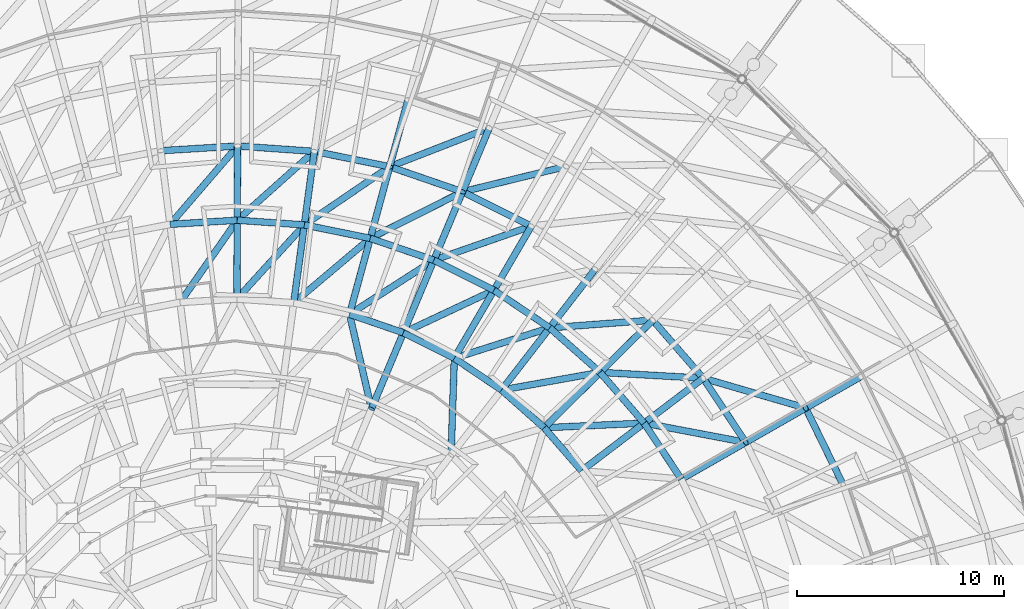
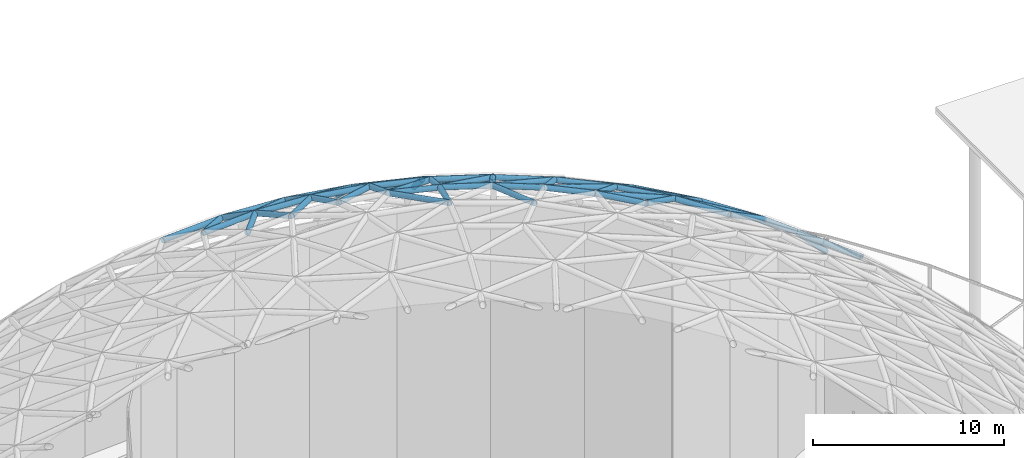
# One storey, part 109 of 226: 65 members.
"""IFC4 building model written with IfcOpenShell, lengths in metres."""

from ifc_helpers import new_model, si_unit, direction, frame, origin, origin_2d, place, context, subcontext, project, spatial, hollow_circle, extrude, material, material_profile, profile_set, type_object, element, save


model = new_model("IFC4")

# Units and contexts
model_context = context("Model", 3, precision=1e-05, world=origin(), true_north=direction((0.0, 1.0)))
body_context = subcontext(model_context, "Body", "Model", "MODEL_VIEW")
ifc_project = project(units=[si_unit("LENGTHUNIT", "METRE"), si_unit("AREAUNIT", "SQUARE_METRE"), si_unit("VOLUMEUNIT", "CUBIC_METRE"), si_unit("PLANEANGLEUNIT", "RADIAN"), si_unit("MASSUNIT", "GRAM", prefix="KILO")], contexts=[model_context])

# Site, building, storey
site_placement = place(None, origin())
site = spatial("IfcSite", under=ifc_project, at=site_placement, CompositionType="ELEMENT")
building_placement = place(site_placement, origin())
building = spatial("IfcBuilding", under=site, at=building_placement, Name="Ceibo Conservatory and Research Tower", CompositionType="ELEMENT")
storey_placement = place(building_placement, origin())
storey = spatial("IfcBuildingStorey", under=building, at=storey_placement, Name="L00", CompositionType="ELEMENT", Elevation=0.0)

# Members
ifc_material = material(Name="Steel ASTM A500 Gr C", Category="steel")
ifc_material_profile_1 = material_profile(ifc_material, hollow_circle(Radius=0.161865234375, WallThickness=0.01025390625, at=origin_2d()), Name="CHS 323.9x10.31")
ifc_profile_set_1 = profile_set([ifc_material_profile_1], Name="Steel ASTM A500 Gr C")
member_type_1 = type_object("IfcMemberType", Name="CHS 323.9x10.31", PredefinedType="NOTDEFINED", material=ifc_profile_set_1)
member_1_placement = place(storey_placement, frame((185.37890625, 120.01904296875, 14.591064453125), z_axis=(-0.438300827314, 0.898828339994, 0.0), x_axis=(-0.898828339994, -0.438300827314, 0.0)))
element("IfcMember", 1, at=member_1_placement, inside=storey, type_object=member_type_1, Name="Gridshell member A-C04-03", PredefinedType="CHORD", context=body_context, shape_type="SweptSolid", body=[
    extrude(hollow_circle(Radius=0.161865234375, WallThickness=0.01025390625, at=origin_2d()), origin(), (0.0, 0.0, 1.0), 4.152099609375),
])
member_2_placement = place(storey_placement, frame((180.660888671875, 122.094970703125, 17.39501953125), z_axis=(-0.713787806992, -0.407982781221, 0.569260060795), x_axis=(0.496234325731, -0.868188628102, 0.0)))
element("IfcMember", 2, at=member_2_placement, inside=storey, type_object=member_type_1, Name="Gridshell member A-M04-05", PredefinedType="RAFTER", context=body_context, shape_type="SweptSolid", body=[
    extrude(hollow_circle(Radius=0.161865234375, WallThickness=0.01025390625, at=origin_2d()), origin(), (0.0, 0.0, 1.0), 4.358154296875),
])
member_3_placement = place(storey_placement, frame((178.610107421875, 125.193115234375, 17.39501953125), z_axis=(-0.654469157346, -0.497546703166, 0.569313095099), x_axis=(0.60519902533, -0.796074204921, 0.0)))
element("IfcMember", 3, at=member_3_placement, inside=storey, type_object=member_type_1, Name="Gridshell member A-M05-05", PredefinedType="RAFTER", context=body_context, shape_type="SweptSolid", body=[
    extrude(hollow_circle(Radius=0.161865234375, WallThickness=0.01025390625, at=origin_2d()), origin(), (0.0, 0.0, 1.0), 4.35791015625),
])
member_4_placement = place(storey_placement, frame((176.173095703125, 127.998046875, 17.39501953125), z_axis=(-0.583927397426, -0.578830285371, 0.569196183467), x_axis=(0.704000314918, -0.71019965967, 0.0)))
element("IfcMember", 4, at=member_4_placement, inside=storey, type_object=member_type_1, Name="Gridshell member A-M06-05", PredefinedType="RAFTER", context=body_context, shape_type="SweptSolid", body=[
    extrude(hollow_circle(Radius=0.161865234375, WallThickness=0.01025390625, at=origin_2d()), origin(), (0.0, 0.0, 1.0), 4.358642578125),
])
member_5_placement = place(storey_placement, frame((173.389892578125, 130.4599609375, 17.39501953125), z_axis=(-0.503308696319, -0.650167743921, 0.569176827509), x_axis=(0.790751363056, -0.612137469712, 0.0)))
element("IfcMember", 5, at=member_5_placement, inside=storey, type_object=member_type_1, Name="Gridshell member A-M07-05", PredefinedType="RAFTER", context=body_context, shape_type="SweptSolid", body=[
    extrude(hollow_circle(Radius=0.161865234375, WallThickness=0.01025390625, at=origin_2d()), origin(), (0.0, 0.0, 1.0), 4.35888671875),
])
member_6_placement = place(storey_placement, frame((170.31005859375, 132.537109375, 17.39501953125), z_axis=(-0.414199362111, -0.710200096409, 0.569258035945), x_axis=(0.863823379854, -0.503794768153, 0.0)))
element("IfcMember", 6, at=member_6_placement, inside=storey, type_object=member_type_1, Name="Gridshell member A-M08-05", PredefinedType="RAFTER", context=body_context, shape_type="SweptSolid", body=[
    extrude(hollow_circle(Radius=0.161865234375, WallThickness=0.01025390625, at=origin_2d()), origin(), (0.0, 0.0, 1.0), 4.358154296875),
])
member_7_placement = place(storey_placement, frame((166.985107421875, 134.195068359375, 17.39501953125), z_axis=(-0.318032147885, -0.75813441207, 0.569287068311), x_axis=(0.92214890808, -0.386835095779, 0.0)))
element("IfcMember", 7, at=member_7_placement, inside=storey, type_object=member_type_1, Name="Gridshell member A-M09-05", PredefinedType="RAFTER", context=body_context, shape_type="SweptSolid", body=[
    extrude(hollow_circle(Radius=0.161865234375, WallThickness=0.01025390625, at=origin_2d()), origin(), (0.0, 0.0, 1.0), 4.35791015625),
])
member_8_placement = place(storey_placement, frame((163.470947265625, 135.405029296875, 17.39501953125), z_axis=(-0.216123089766, -0.793235601629, 0.569269786988), x_axis=(0.964829832004, -0.262875246601, 0.0)))
element("IfcMember", 8, at=member_8_placement, inside=storey, type_object=member_type_1, Name="Gridshell member A-M10-05", PredefinedType="RAFTER", context=body_context, shape_type="SweptSolid", body=[
    extrude(hollow_circle(Radius=0.161865234375, WallThickness=0.01025390625, at=origin_2d()), origin(), (0.0, 0.0, 1.0), 4.358154296875),
])
member_9_placement = place(storey_placement, frame((159.830078125, 136.14599609375, 17.39501953125), z_axis=(-0.110847960683, -0.814696103147, 0.569195036107), x_axis=(0.990870335562, -0.134818315165, 0.0)))
element("IfcMember", 9, at=member_9_placement, inside=storey, type_object=member_type_1, Name="Gridshell member A-M11-05", PredefinedType="RAFTER", context=body_context, shape_type="SweptSolid", body=[
    extrude(hollow_circle(Radius=0.161865234375, WallThickness=0.01025390625, at=origin_2d()), origin(), (0.0, 0.0, 1.0), 4.358642578125),
])
member_10_placement = place(storey_placement, frame((156.1240234375, 136.405029296875, 17.39501953125), z_axis=(-0.00369728709, -0.822142202026, 0.569270172867), x_axis=(0.999989888027, -0.00449709271, 0.0)))
element("IfcMember", 10, at=member_10_placement, inside=storey, type_object=member_type_1, Name="Gridshell member A-M12-05", PredefinedType="RAFTER", context=body_context, shape_type="SweptSolid", body=[
    extrude(hollow_circle(Radius=0.161865234375, WallThickness=0.01025390625, at=origin_2d()), origin(), (0.0, 0.0, 1.0), 4.358154296875),
])
member_11_placement = place(storey_placement, frame((175.758056640625, 123.02490234375, 19.8759765625), z_axis=(-0.693686137001, -0.527754755397, 0.4901779896), x_axis=(0.605485563009, -0.795856289155, 0.0)))
element("IfcMember", 11, at=member_11_placement, inside=storey, type_object=member_type_1, Name="Gridshell member A-M05-06", PredefinedType="RAFTER", context=body_context, shape_type="SweptSolid", body=[
    extrude(hollow_circle(Radius=0.161865234375, WallThickness=0.01025390625, at=origin_2d()), origin(), (0.0, 0.0, 1.0), 4.359619140625),
])
member_12_placement = place(storey_placement, frame((173.6279296875, 125.47509765625, 19.8759765625), z_axis=(-0.618935674707, -0.613670996992, 0.490231106751), x_axis=(0.704080182791, -0.71012048006, 0.0)))
element("IfcMember", 12, at=member_12_placement, inside=storey, type_object=member_type_1, Name="Gridshell member A-M06-06", PredefinedType="RAFTER", context=body_context, shape_type="SweptSolid", body=[
    extrude(hollow_circle(Radius=0.161865234375, WallThickness=0.01025390625, at=origin_2d()), origin(), (0.0, 0.0, 1.0), 4.359130859375),
])
member_13_placement = place(storey_placement, frame((171.196044921875, 127.6259765625, 19.8759765625), z_axis=(-0.533604376262, -0.689143302775, 0.490252871358), x_axis=(0.790682564617, -0.61222633234, 0.0)))
element("IfcMember", 13, at=member_13_placement, inside=storey, type_object=member_type_1, Name="Gridshell member A-M07-06", PredefinedType="RAFTER", context=body_context, shape_type="SweptSolid", body=[
    extrude(hollow_circle(Radius=0.161865234375, WallThickness=0.01025390625, at=origin_2d()), origin(), (0.0, 0.0, 1.0), 4.35888671875),
])
member_14_placement = place(storey_placement, frame((168.5048828125, 129.44189453125, 19.8759765625), z_axis=(-0.439232549316, -0.752850077834, 0.4901953977), x_axis=(0.863743942894, -0.503930948755, 0.0)))
element("IfcMember", 14, at=member_14_placement, inside=storey, type_object=member_type_1, Name="Gridshell member A-M08-06", PredefinedType="RAFTER", context=body_context, shape_type="SweptSolid", body=[
    extrude(hollow_circle(Radius=0.161865234375, WallThickness=0.01025390625, at=origin_2d()), origin(), (0.0, 0.0, 1.0), 4.359375),
])
for number, where, z_axis, x_axis, name in (
    (15, (165.59912109375, 130.89111328125, 19.8759765625), (-0.337226420994, -0.803754702844, 0.490159890893), (0.922125629519, -0.38689058322, 0.0), "Gridshell member A-M09-06"),
    (16, (162.529052734375, 131.947998046875, 19.8759765625), (-0.229377823513, -0.840902685028, 0.49017189678), (0.964751959039, -0.263160896659, 0.0), "Gridshell member A-M10-06"),
):
    element("IfcMember", number, at=place(storey_placement, frame(where, z_axis=z_axis, x_axis=x_axis)), inside=storey, type_object=member_type_1, Name=name, PredefinedType="RAFTER", context=body_context, shape_type="SweptSolid", body=[
        extrude(hollow_circle(Radius=0.161865234375, WallThickness=0.01025390625, at=origin_2d()), origin(), (0.0, 0.0, 1.0), 4.359619140625),
    ])
member_15_placement = place(storey_placement, frame((159.346923828125, 132.594970703125, 19.8759765625), z_axis=(-0.117442661305, -0.863654401517, 0.490212500907), x_axis=(0.990880538738, -0.134743303919, 0.0)))
element("IfcMember", 17, at=member_15_placement, inside=storey, type_object=member_type_1, Name="Gridshell member A-M11-06", PredefinedType="RAFTER", context=body_context, shape_type="SweptSolid", body=[
    extrude(hollow_circle(Radius=0.161865234375, WallThickness=0.01025390625, at=origin_2d()), origin(), (0.0, 0.0, 1.0), 4.359375),
])
member_16_placement = place(storey_placement, frame((156.10791015625, 132.822021484375, 19.8759765625), z_axis=(-0.003639937744, -0.871625092103, 0.490159616523), x_axis=(0.999991280476, -0.004175999565, 0.0)))
element("IfcMember", 18, at=member_16_placement, inside=storey, type_object=member_type_1, Name="Gridshell member A-M12-06", PredefinedType="RAFTER", context=body_context, shape_type="SweptSolid", body=[
    extrude(hollow_circle(Radius=0.161865234375, WallThickness=0.01025390625, at=origin_2d()), origin(), (0.0, 0.0, 1.0), 4.359619140625),
])
member_17_placement = place(storey_placement, frame((164.12890625, 127.386962890625, 22.012939453125), z_axis=(-0.353012672768, -0.842346596609, 0.407227533507), x_axis=(0.922283952425, -0.386513015434, 0.0)))
element("IfcMember", 19, at=member_17_placement, inside=storey, type_object=member_type_1, Name="Gridshell member A-M09-07", PredefinedType="RAFTER", context=body_context, shape_type="SweptSolid", body=[
    extrude(hollow_circle(Radius=0.161865234375, WallThickness=0.01025390625, at=origin_2d()), origin(), (0.0, 0.0, 1.0), 4.359130859375),
])
ifc_material_profile_2 = material_profile(ifc_material, hollow_circle(Radius=0.161865234375, WallThickness=0.01416015625, at=origin_2d()), Name="CHS 323.9x14.27")
ifc_profile_set_2 = profile_set([ifc_material_profile_2], Name="Steel ASTM A500 Gr C")
member_type_2 = type_object("IfcMemberType", Name="CHS 323.9x14.27", PredefinedType="NOTDEFINED", material=ifc_profile_set_2)
for number, where, z_axis, x_axis, name in (
    (20, (186.218017578125, 125.27099609375, 11.489013671875), (-0.609951625108, -0.34868779891, 0.711600895109), (0.496293451182, -0.868154830842, 0.0), "Gridshell member A-M04-03"),
    (21, (183.55908203125, 123.7509765625, 14.591064453125), (-0.66482040521, -0.379873372803, 0.643202961321), (0.496115308008, -0.868256644754, 0.0), "Gridshell member A-M04-04"),
):
    element("IfcMember", number, at=place(storey_placement, frame(where, z_axis=z_axis, x_axis=x_axis)), inside=storey, type_object=member_type_2, Name=name, PredefinedType="RAFTER", context=body_context, shape_type="SweptSolid", body=[
        extrude(hollow_circle(Radius=0.161865234375, WallThickness=0.01416015625, at=origin_2d()), origin(), (0.0, 0.0, 1.0), 4.359375),
    ])
member_18_placement = place(storey_placement, frame((168.27490234375, 137.27294921875, 14.591064453125), z_axis=(-0.295906369032, -0.706131287977, 0.643286891601), x_axis=(0.922293664029, -0.386489841125, 0.0)))
element("IfcMember", 22, at=member_18_placement, inside=storey, type_object=member_type_2, Name="Gridshell member A-M09-04", PredefinedType="RAFTER", context=body_context, shape_type="SweptSolid", body=[
    extrude(hollow_circle(Radius=0.161865234375, WallThickness=0.01416015625, at=origin_2d()), origin(), (0.0, 0.0, 1.0), 4.35888671875),
])
member_19_placement = place(storey_placement, frame((164.34912109375, 138.625, 14.591064453125), z_axis=(-0.201458598191, -0.738681526701, 0.64324492639), x_axis=(0.964763821238, -0.263117405792, 0.0)))
element("IfcMember", 23, at=member_19_placement, inside=storey, type_object=member_type_2, Name="Gridshell member A-M10-04", PredefinedType="RAFTER", context=body_context, shape_type="SweptSolid", body=[
    extrude(hollow_circle(Radius=0.161865234375, WallThickness=0.01416015625, at=origin_2d()), origin(), (0.0, 0.0, 1.0), 4.359130859375),
])
ifc_material_profile_3 = material_profile(ifc_material, hollow_circle(Radius=0.161865234375, WallThickness=0.00634765625, at=origin_2d()), Name="CHS 323.9x6.35")
ifc_profile_set_3 = profile_set([ifc_material_profile_3], Name="Steel ASTM A500 Gr C")
member_type_3 = type_object("IfcMemberType", Name="CHS 323.9x6.35", PredefinedType="NOTDEFINED", material=ifc_profile_set_3)
member_20_placement = place(storey_placement, frame((180.660888671875, 122.094970703125, 17.39501953125), z_axis=(-0.879756514282, 0.166865479678, 0.445179050798), x_axis=(-0.186349935601, -0.982483435739, 0.0)))
element("IfcMember", 24, at=member_20_placement, inside=storey, type_object=member_type_3, Name="Gridshell diagonal member A-D05-04", PredefinedType="BRACE", context=body_context, shape_type="SweptSolid", body=[
    extrude(hollow_circle(Radius=0.161865234375, WallThickness=0.00634765625, at=origin_2d()), origin(), (0.0, 0.0, 1.0), 5.572998046875),
])
member_21_placement = place(storey_placement, frame((178.610107421875, 125.193115234375, 17.39501953125), z_axis=(-0.894007506898, 0.05059923901, 0.445185685554), x_axis=(-0.056507791089, -0.998402158224, 0.0)))
element("IfcMember", 25, at=member_21_placement, inside=storey, type_object=member_type_3, Name="Gridshell diagonal member A-D05-05", PredefinedType="BRACE", context=body_context, shape_type="SweptSolid", body=[
    extrude(hollow_circle(Radius=0.161865234375, WallThickness=0.00634765625, at=origin_2d()), origin(), (0.0, 0.0, 1.0), 5.57275390625),
])
member_22_placement = place(storey_placement, frame((176.173095703125, 127.998046875, 17.39501953125), z_axis=(-0.892974503729, -0.06675626134, 0.445129348911), x_axis=(0.074549162442, -0.99721733959, 0.0)))
element("IfcMember", 26, at=member_22_placement, inside=storey, type_object=member_type_3, Name="Gridshell diagonal member A-D05-06", PredefinedType="BRACE", context=body_context, shape_type="SweptSolid", body=[
    extrude(hollow_circle(Radius=0.161865234375, WallThickness=0.00634765625, at=origin_2d()), origin(), (0.0, 0.0, 1.0), 5.573486328125),
])
member_23_placement = place(storey_placement, frame((170.31005859375, 132.537109375, 17.39501953125), z_axis=(-0.845327335699, -0.295356389784, 0.445181197418), x_axis=(0.329844794261, -0.944035175032, 0.0)))
element("IfcMember", 27, at=member_23_placement, inside=storey, type_object=member_type_3, Name="Gridshell diagonal member A-D05-08", PredefinedType="BRACE", context=body_context, shape_type="SweptSolid", body=[
    extrude(hollow_circle(Radius=0.161865234375, WallThickness=0.00634765625, at=origin_2d()), origin(), (0.0, 0.0, 1.0), 5.572998046875),
])
member_24_placement = place(storey_placement, frame((166.985107421875, 134.195068359375, 17.39501953125), z_axis=(-0.799546122199, -0.40318992487, 0.445156020918), x_axis=(0.45026362562, -0.892895664366, 0.0)))
element("IfcMember", 28, at=member_24_placement, inside=storey, type_object=member_type_3, Name="Gridshell diagonal member A-D05-09", PredefinedType="BRACE", context=body_context, shape_type="SweptSolid", body=[
    extrude(hollow_circle(Radius=0.161865234375, WallThickness=0.00634765625, at=origin_2d()), origin(), (0.0, 0.0, 1.0), 5.5732421875),
])
for number, where, z_axis, x_axis, name in (
    (29, (163.470947265625, 135.405029296875, 17.39501953125), (-0.739990879204, -0.504220638151, 0.445168559938), (0.563093914605, -0.82639291099, 0.0), "Gridshell diagonal member A-D05-10"),
    (30, (159.830078125, 136.14599609375, 17.39501953125), (-0.667891325736, -0.596441059943, 0.445173268538), (0.666083820954, -0.745876895649, 0.0), "Gridshell diagonal member A-D05-11"),
):
    element("IfcMember", number, at=place(storey_placement, frame(where, z_axis=z_axis, x_axis=x_axis)), inside=storey, type_object=member_type_3, Name=name, PredefinedType="BRACE", context=body_context, shape_type="SweptSolid", body=[
        extrude(hollow_circle(Radius=0.161865234375, WallThickness=0.00634765625, at=origin_2d()), origin(), (0.0, 0.0, 1.0), 5.572998046875),
    ])
member_25_placement = place(storey_placement, frame((156.1240234375, 136.405029296875, 17.39501953125), z_axis=(-0.584426152489, -0.678435486365, 0.445164422576), x_axis=(0.757648512188, -0.65266280113, 0.0)))
element("IfcMember", 31, at=member_25_placement, inside=storey, type_object=member_type_3, Name="Gridshell diagonal member A-D05-12", PredefinedType="BRACE", context=body_context, shape_type="SweptSolid", body=[
    extrude(hollow_circle(Radius=0.161865234375, WallThickness=0.00634765625, at=origin_2d()), origin(), (0.0, 0.0, 1.0), 5.5732421875),
])
member_26_placement = place(storey_placement, frame((175.758056640625, 123.02490234375, 19.8759765625), z_axis=(-0.913605897877, -0.042548090208, 0.404368548954), x_axis=(0.046521179047, -0.998917303835, 0.0)))
element("IfcMember", 32, at=member_26_placement, inside=storey, type_object=member_type_3, Name="Gridshell diagonal member A-D06-05", PredefinedType="BRACE", context=body_context, shape_type="SweptSolid", body=[
    extrude(hollow_circle(Radius=0.161865234375, WallThickness=0.00634765625, at=origin_2d()), origin(), (0.0, 0.0, 1.0), 5.28466796875),
])
for number, where, z_axis, x_axis, name in (
    (33, (173.6279296875, 125.47509765625, 19.8759765625), (-0.900251231785, -0.16140588074, 0.404346214687), (0.176475859997, -0.984304968411, 0.0), "Gridshell diagonal member A-D06-06"),
    (34, (171.196044921875, 127.6259765625, 19.8759765625), (-0.871521748446, -0.277403164392, 0.404348026298), (0.303303725039, -0.952893934485, 0.0), "Gridshell diagonal member A-D06-07"),
):
    element("IfcMember", number, at=place(storey_placement, frame(where, z_axis=z_axis, x_axis=x_axis)), inside=storey, type_object=member_type_3, Name=name, PredefinedType="BRACE", context=body_context, shape_type="SweptSolid", body=[
        extrude(hollow_circle(Radius=0.161865234375, WallThickness=0.00634765625, at=origin_2d()), origin(), (0.0, 0.0, 1.0), 5.284912109375),
    ])
member_27_placement = place(storey_placement, frame((168.5048828125, 129.44189453125, 19.8759765625), z_axis=(-0.827891164652, -0.388772591658, 0.404292086822), x_axis=(0.425059993097, -0.905165179549, 0.0)))
element("IfcMember", 35, at=member_27_placement, inside=storey, type_object=member_type_3, Name="Gridshell diagonal member A-D06-08", PredefinedType="BRACE", context=body_context, shape_type="SweptSolid", body=[
    extrude(hollow_circle(Radius=0.161865234375, WallThickness=0.00634765625, at=origin_2d()), origin(), (0.0, 0.0, 1.0), 5.28564453125),
])
member_28_placement = place(storey_placement, frame((165.59912109375, 130.89111328125, 19.8759765625), z_axis=(-0.770001148475, -0.493611797358, 0.404284089293), x_axis=(0.539682633855, -0.841868549546, 0.0)))
element("IfcMember", 36, at=member_28_placement, inside=storey, type_object=member_type_3, Name="Gridshell diagonal member A-D06-09", PredefinedType="BRACE", context=body_context, shape_type="SweptSolid", body=[
    extrude(hollow_circle(Radius=0.161865234375, WallThickness=0.00634765625, at=origin_2d()), origin(), (0.0, 0.0, 1.0), 5.285888671875),
])
member_29_placement = place(storey_placement, frame((162.529052734375, 131.947998046875, 19.8759765625), z_axis=(-0.698937599515, -0.589923473888, 0.404322305766), x_axis=(0.644995391731, -0.764186459344, 0.0)))
element("IfcMember", 37, at=member_29_placement, inside=storey, type_object=member_type_3, Name="Gridshell diagonal member A-D06-10", PredefinedType="BRACE", context=body_context, shape_type="SweptSolid", body=[
    extrude(hollow_circle(Radius=0.161865234375, WallThickness=0.00634765625, at=origin_2d()), origin(), (0.0, 0.0, 1.0), 5.285400390625),
])
member_30_placement = place(storey_placement, frame((159.346923828125, 132.594970703125, 19.8759765625), z_axis=(-0.615916382869, -0.67611283103, 0.404374144859), x_axis=(0.739249423461, -0.673431726244, 0.0)))
element("IfcMember", 38, at=member_30_placement, inside=storey, type_object=member_type_3, Name="Gridshell diagonal member A-D06-11", PredefinedType="BRACE", context=body_context, shape_type="SweptSolid", body=[
    extrude(hollow_circle(Radius=0.161865234375, WallThickness=0.00634765625, at=origin_2d()), origin(), (0.0, 0.0, 1.0), 5.28466796875),
])
member_31_placement = place(storey_placement, frame((156.10791015625, 132.822021484375, 19.8759765625), z_axis=(-0.522385750807, -0.750759183648, 0.404318903247), x_axis=(0.820844463452, -0.57115178965, 0.0)))
element("IfcMember", 39, at=member_31_placement, inside=storey, type_object=member_type_3, Name="Gridshell diagonal member A-D06-12", PredefinedType="BRACE", context=body_context, shape_type="SweptSolid", body=[
    extrude(hollow_circle(Radius=0.161865234375, WallThickness=0.00634765625, at=origin_2d()), origin(), (0.0, 0.0, 1.0), 5.285400390625),
])
member_32_placement = place(storey_placement, frame((166.590087890625, 126.159912109375, 22.012939453125), z_axis=(-0.031313659083, -0.934685938993, 0.354092714136), x_axis=(0.999439286733, -0.033483012628, 0.0)))
element("IfcMember", 40, at=member_32_placement, inside=storey, type_object=member_type_3, Name="Gridshell diagonal member A-D07-08", PredefinedType="BRACE", context=body_context, shape_type="SweptSolid", body=[
    extrude(hollow_circle(Radius=0.161865234375, WallThickness=0.00634765625, at=origin_2d()), origin(), (0.0, 0.0, 1.0), 5.01318359375),
])
member_33_placement = place(storey_placement, frame((161.529052734375, 128.281982421875, 22.012939453125), z_axis=(0.211642839505, -0.910950519048, 0.354085385652), x_axis=(0.974056629956, 0.226304400395, 0.0)))
element("IfcMember", 41, at=member_33_placement, inside=storey, type_object=member_type_3, Name="Gridshell diagonal member A-D07-10", PredefinedType="BRACE", context=body_context, shape_type="SweptSolid", body=[
    extrude(hollow_circle(Radius=0.161865234375, WallThickness=0.00634765625, at=origin_2d()), origin(), (0.0, 0.0, 1.0), 5.013427734375),
])
ifc_material_profile_4 = material_profile(ifc_material, hollow_circle(Radius=0.161865234375, WallThickness=0.00830078125, at=origin_2d()), Name="CHS 323.9x8.38")
ifc_profile_set_4 = profile_set([ifc_material_profile_4], Name="Steel ASTM A500 Gr C")
member_type_4 = type_object("IfcMemberType", Name="CHS 323.9x8.38", PredefinedType="NOTDEFINED", material=ifc_profile_set_4)
member_34_placement = place(storey_placement, frame((180.660888671875, 122.094970703125, 17.39501953125), z_axis=(-0.551967700922, 0.833865491035, 0.0), x_axis=(-0.833865491035, -0.551967700922, 0.0)))
element("IfcMember", 42, at=member_34_placement, inside=storey, type_object=member_type_4, Name="Gridshell member A-C05-04", PredefinedType="CHORD", context=body_context, shape_type="SweptSolid", body=[
    extrude(hollow_circle(Radius=0.161865234375, WallThickness=0.00830078125, at=origin_2d()), origin(), (0.0, 0.0, 1.0), 3.71533203125),
])
member_35_placement = place(storey_placement, frame((178.610107421875, 125.193115234375, 17.39501953125), z_axis=(-0.655863077545, 0.754879873564, 0.0), x_axis=(-0.754879873564, -0.655863077545, 0.0)))
element("IfcMember", 43, at=member_35_placement, inside=storey, type_object=member_type_4, Name="Gridshell member A-C05-05", PredefinedType="CHORD", context=body_context, shape_type="SweptSolid", body=[
    extrude(hollow_circle(Radius=0.161865234375, WallThickness=0.00830078125, at=origin_2d()), origin(), (0.0, 0.0, 1.0), 3.7158203125),
])
member_36_placement = place(storey_placement, frame((170.31005859375, 132.537109375, 17.39501953125), z_axis=(-0.894912920868, 0.446240813982, 0.0), x_axis=(-0.446240813982, -0.894912920868, 0.0)))
element("IfcMember", 44, at=member_36_placement, inside=storey, type_object=member_type_4, Name="Gridshell member A-C05-08", PredefinedType="CHORD", context=body_context, shape_type="SweptSolid", body=[
    extrude(hollow_circle(Radius=0.161865234375, WallThickness=0.00830078125, at=origin_2d()), origin(), (0.0, 0.0, 1.0), 3.71533203125),
])
member_37_placement = place(storey_placement, frame((166.985107421875, 134.195068359375, 17.39501953125), z_axis=(-0.945523664419, 0.325553375077, 0.0), x_axis=(-0.325553375077, -0.945523664419, 0.0)))
element("IfcMember", 45, at=member_37_placement, inside=storey, type_object=member_type_4, Name="Gridshell member A-C05-09", PredefinedType="CHORD", context=body_context, shape_type="SweptSolid", body=[
    extrude(hollow_circle(Radius=0.161865234375, WallThickness=0.00830078125, at=origin_2d()), origin(), (0.0, 0.0, 1.0), 3.716552734375),
])
member_38_placement = place(storey_placement, frame((163.470947265625, 135.405029296875, 17.39501953125), z_axis=(-0.979912945851, 0.199425721897, 0.0), x_axis=(-0.199425721897, -0.979912945851, 0.0)))
element("IfcMember", 46, at=member_38_placement, inside=storey, type_object=member_type_4, Name="Gridshell member A-C05-10", PredefinedType="CHORD", context=body_context, shape_type="SweptSolid", body=[
    extrude(hollow_circle(Radius=0.161865234375, WallThickness=0.00830078125, at=origin_2d()), origin(), (0.0, 0.0, 1.0), 3.715576171875),
])
member_39_placement = place(storey_placement, frame((159.830078125, 136.14599609375, 17.39501953125), z_axis=(-0.997566285938, 0.069724494689, 0.0), x_axis=(-0.069724494689, -0.997566285938, 0.0)))
element("IfcMember", 47, at=member_39_placement, inside=storey, type_object=member_type_4, Name="Gridshell member A-C05-11", PredefinedType="CHORD", context=body_context, shape_type="SweptSolid", body=[
    extrude(hollow_circle(Radius=0.161865234375, WallThickness=0.00830078125, at=origin_2d()), origin(), (0.0, 0.0, 1.0), 3.715087890625),
])
member_40_placement = place(storey_placement, frame((156.1240234375, 136.405029296875, 17.39501953125), z_axis=(-0.998131524247, -0.061102048285, 0.0), x_axis=(0.061102048285, -0.998131524247, 0.0)))
element("IfcMember", 48, at=member_40_placement, inside=storey, type_object=member_type_4, Name="Gridshell member A-C05-12", PredefinedType="CHORD", context=body_context, shape_type="SweptSolid", body=[
    extrude(hollow_circle(Radius=0.161865234375, WallThickness=0.00830078125, at=origin_2d()), origin(), (0.0, 0.0, 1.0), 3.7158203125),
])
member_41_placement = place(storey_placement, frame((177.550048828125, 120.31689453125, 19.8759765625), z_axis=(-0.551851522439, 0.833942382411, 0.0), x_axis=(-0.833942382411, -0.551851522439, 0.0)))
element("IfcMember", 49, at=member_41_placement, inside=storey, type_object=member_type_4, Name="Gridshell member A-C06-04", PredefinedType="CHORD", context=body_context, shape_type="SweptSolid", body=[
    extrude(hollow_circle(Radius=0.161865234375, WallThickness=0.00830078125, at=origin_2d()), origin(), (0.0, 0.0, 1.0), 3.247314453125),
])
for number, where, z_axis, x_axis, name in (
    (50, (175.758056640625, 123.02490234375, 19.8759765625), (-0.656094933673, 0.754678367259, 0.0), (-0.754678367259, -0.656094933673, 0.0), "Gridshell member A-C06-05"),
    (51, (173.6279296875, 125.47509765625, 19.8759765625), (-0.749058278672, 0.662504109537, 0.0), (-0.662504109537, -0.749058278672, 0.0), "Gridshell member A-C06-06"),
    (52, (171.196044921875, 127.6259765625, 19.8759765625), (-0.828936715404, 0.559342401268, 0.0), (-0.559342401268, -0.828936715404, 0.0), "Gridshell member A-C06-07"),
):
    element("IfcMember", number, at=place(storey_placement, frame(where, z_axis=z_axis, x_axis=x_axis)), inside=storey, type_object=member_type_4, Name=name, PredefinedType="CHORD", context=body_context, shape_type="SweptSolid", body=[
        extrude(hollow_circle(Radius=0.161865234375, WallThickness=0.00830078125, at=origin_2d()), origin(), (0.0, 0.0, 1.0), 3.24658203125),
    ])
member_42_placement = place(storey_placement, frame((168.5048828125, 129.44189453125, 19.8759765625), z_axis=(-0.894877859035, 0.446311121763, 0.0), x_axis=(-0.446311121763, -0.894877859035, 0.0)))
element("IfcMember", 53, at=member_42_placement, inside=storey, type_object=member_type_4, Name="Gridshell member A-C06-08", PredefinedType="CHORD", context=body_context, shape_type="SweptSolid", body=[
    extrude(hollow_circle(Radius=0.161865234375, WallThickness=0.00830078125, at=origin_2d()), origin(), (0.0, 0.0, 1.0), 3.2470703125),
])
member_43_placement = place(storey_placement, frame((165.59912109375, 130.89111328125, 19.8759765625), z_axis=(-0.9455398622, 0.325506327114, 0.0), x_axis=(-0.325506327114, -0.9455398622, 0.0)))
element("IfcMember", 54, at=member_43_placement, inside=storey, type_object=member_type_4, Name="Gridshell member A-C06-09", PredefinedType="CHORD", context=body_context, shape_type="SweptSolid", body=[
    extrude(hollow_circle(Radius=0.161865234375, WallThickness=0.00830078125, at=origin_2d()), origin(), (0.0, 0.0, 1.0), 3.246826171875),
])
member_44_placement = place(storey_placement, frame((162.529052734375, 131.947998046875, 19.8759765625), z_axis=(-0.979951095074, 0.199238177225, 0.0), x_axis=(-0.199238177225, -0.979951095074, 0.0)))
element("IfcMember", 55, at=member_44_placement, inside=storey, type_object=member_type_4, Name="Gridshell member A-C06-10", PredefinedType="CHORD", context=body_context, shape_type="SweptSolid", body=[
    extrude(hollow_circle(Radius=0.161865234375, WallThickness=0.00830078125, at=origin_2d()), origin(), (0.0, 0.0, 1.0), 3.247314453125),
])
for number, where, z_axis, x_axis, name in (
    (56, (159.346923828125, 132.594970703125, 19.8759765625), (-0.99755210098, 0.069927146598, 0.0), (-0.069927146598, -0.99755210098, 0.0), "Gridshell member A-C06-11"),
    (57, (156.10791015625, 132.822021484375, 19.8759765625), (-0.998139074227, -0.060978590523, 0.0), (0.060978590523, -0.998139074227, 0.0), "Gridshell member A-C06-12"),
):
    element("IfcMember", number, at=place(storey_placement, frame(where, z_axis=z_axis, x_axis=x_axis)), inside=storey, type_object=member_type_4, Name=name, PredefinedType="CHORD", context=body_context, shape_type="SweptSolid", body=[
        extrude(hollow_circle(Radius=0.161865234375, WallThickness=0.00830078125, at=origin_2d()), origin(), (0.0, 0.0, 1.0), 3.2470703125),
    ])
member_45_placement = place(storey_placement, frame((172.73388671875, 120.72412109375, 22.012939453125), z_axis=(-0.655930330276, 0.754821437046, 0.0), x_axis=(-0.754821437046, -0.655930330276, 0.0)))
element("IfcMember", 58, at=member_45_placement, inside=storey, type_object=member_type_4, Name="Gridshell member A-C07-05", PredefinedType="CHORD", context=body_context, shape_type="SweptSolid", body=[
    extrude(hollow_circle(Radius=0.161865234375, WallThickness=0.00830078125, at=origin_2d()), origin(), (0.0, 0.0, 1.0), 2.750244140625),
])
member_46_placement = place(storey_placement, frame((170.929931640625, 122.800048828125, 22.012939453125), z_axis=(-0.749018590767, 0.662548979838, 0.0), x_axis=(-0.662548979838, -0.749018590767, 0.0)))
element("IfcMember", 59, at=member_46_placement, inside=storey, type_object=member_type_4, Name="Gridshell member A-C07-06", PredefinedType="CHORD", context=body_context, shape_type="SweptSolid", body=[
    extrude(hollow_circle(Radius=0.161865234375, WallThickness=0.00830078125, at=origin_2d()), origin(), (0.0, 0.0, 1.0), 2.75),
])
member_47_placement = place(storey_placement, frame((168.8701171875, 124.6220703125, 22.012939453125), z_axis=(-0.829047245278, 0.559178562802, 0.0), x_axis=(-0.559178562802, -0.829047245278, 0.0)))
element("IfcMember", 60, at=member_47_placement, inside=storey, type_object=member_type_4, Name="Gridshell member A-C07-07", PredefinedType="CHORD", context=body_context, shape_type="SweptSolid", body=[
    extrude(hollow_circle(Radius=0.161865234375, WallThickness=0.00830078125, at=origin_2d()), origin(), (0.0, 0.0, 1.0), 2.750244140625),
])
member_48_placement = place(storey_placement, frame((166.590087890625, 126.159912109375, 22.012939453125), z_axis=(-0.894941493593, 0.446183508263, 0.0), x_axis=(-0.446183508263, -0.894941493593, 0.0)))
element("IfcMember", 61, at=member_48_placement, inside=storey, type_object=member_type_4, Name="Gridshell member A-C07-08", PredefinedType="CHORD", context=body_context, shape_type="SweptSolid", body=[
    extrude(hollow_circle(Radius=0.161865234375, WallThickness=0.00830078125, at=origin_2d()), origin(), (0.0, 0.0, 1.0), 2.75),
])
member_49_placement = place(storey_placement, frame((164.12890625, 127.386962890625, 22.012939453125), z_axis=(-0.945538929888, 0.325509035306, 0.0), x_axis=(-0.325509035306, -0.945538929888, 0.0)))
element("IfcMember", 62, at=member_49_placement, inside=storey, type_object=member_type_4, Name="Gridshell member A-C07-09", PredefinedType="CHORD", context=body_context, shape_type="SweptSolid", body=[
    extrude(hollow_circle(Radius=0.161865234375, WallThickness=0.00830078125, at=origin_2d()), origin(), (0.0, 0.0, 1.0), 2.74951171875),
])
member_50_placement = place(storey_placement, frame((183.55908203125, 123.7509765625, 14.591064453125), z_axis=(-0.843373084554, 0.245760189949, 0.477832365256), x_axis=(-0.279765380873, -0.960068399472, 0.0)))
element("IfcMember", 63, at=member_50_placement, inside=storey, type_object=member_type_4, Name="Gridshell diagonal member A-D04-04", PredefinedType="BRACE", context=body_context, shape_type="SweptSolid", body=[
    extrude(hollow_circle(Radius=0.161865234375, WallThickness=0.00830078125, at=origin_2d()), origin(), (0.0, 0.0, 1.0), 5.8681640625),
])
member_51_placement = place(storey_placement, frame((171.990966796875, 135.4208984375, 14.591064453125), z_axis=(-0.853201162237, -0.208931088353, 0.477907498453), x_axis=(0.237851400186, -0.971301555352, 0.0)))
element("IfcMember", 64, at=member_51_placement, inside=storey, type_object=member_type_4, Name="Gridshell diagonal member A-D04-08", PredefinedType="BRACE", context=body_context, shape_type="SweptSolid", body=[
    extrude(hollow_circle(Radius=0.161865234375, WallThickness=0.00830078125, at=origin_2d()), origin(), (0.0, 0.0, 1.0), 5.8671875),
])
member_52_placement = place(storey_placement, frame((168.27490234375, 137.27294921875, 14.591064453125), z_axis=(-0.818719264621, -0.318342282544, 0.477867091232), x_axis=(0.36239825961, -0.932023337386, 0.0)))
element("IfcMember", 65, at=member_52_placement, inside=storey, type_object=member_type_4, Name="Gridshell diagonal member A-D04-09", PredefinedType="BRACE", context=body_context, shape_type="SweptSolid", body=[
    extrude(hollow_circle(Radius=0.161865234375, WallThickness=0.00830078125, at=origin_2d()), origin(), (0.0, 0.0, 1.0), 5.86767578125),
])

save(model, "model.ifc")
